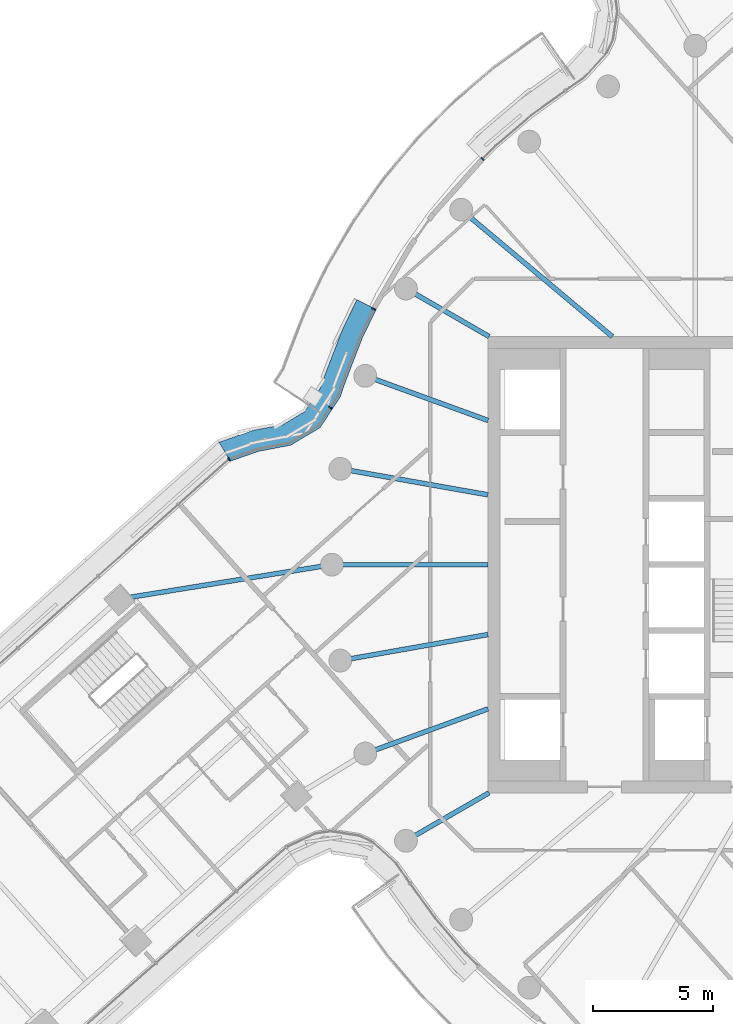
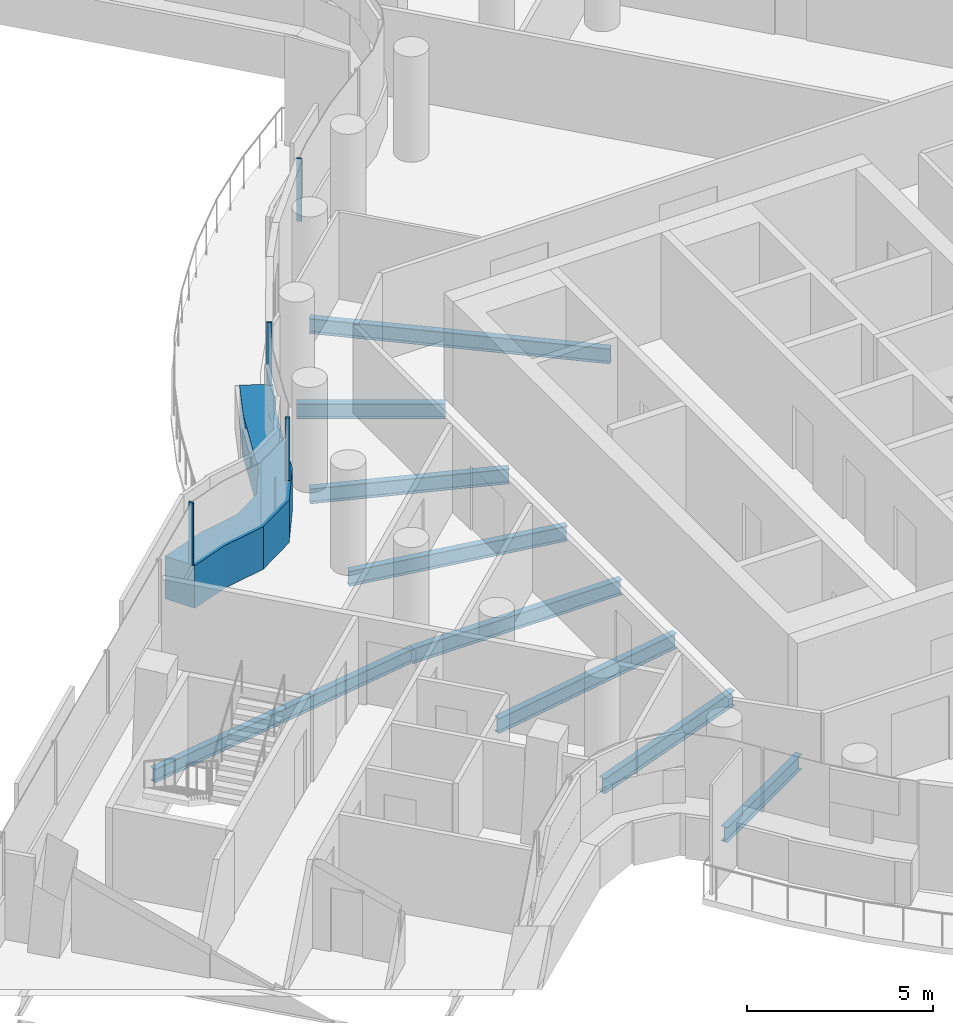
# One storey, part 9 of 33: 9 beams, 5 members, 2 elements without a shape of their own.
"""IFC4 building model written with IfcOpenShell, lengths in metres."""

from ifc_helpers import new_model, si_unit, direction, frame, origin, origin_2d, place, context, subcontext, project, spatial, polyline, rectangle, i_section, outline, extrude, material, layer, layer_set, material_profile, profile_set, type_object, element, aggregate, save


model = new_model("IFC4")

# Units and contexts
model_context = context("Model", 3, precision=1e-05, world=origin(), true_north=direction((0.0, 1.0)))
body_context = subcontext(model_context, "Body", "Model", "MODEL_VIEW")
ifc_project = project(units=[si_unit("LENGTHUNIT", "METRE"), si_unit("AREAUNIT", "SQUARE_METRE"), si_unit("VOLUMEUNIT", "CUBIC_METRE"), si_unit("PLANEANGLEUNIT", "RADIAN"), si_unit("MASSUNIT", "GRAM", prefix="KILO")], contexts=[model_context])

# Site, building, storey
site_placement = place(None, origin())
site = spatial("IfcSite", under=ifc_project, at=site_placement, CompositionType="ELEMENT")
building_placement = place(site_placement, origin())
building = spatial("IfcBuilding", under=site, at=building_placement, Name="Tamarind Cross Interchange Tower", CompositionType="ELEMENT")
storey_placement = place(building_placement, frame((0.0, 0.0, 186.10009765625)))
storey = spatial("IfcBuildingStorey", under=building, at=storey_placement, Name="L46", CompositionType="ELEMENT", Elevation=186.10009765625)

# Beams
ifc_material_1 = material(Name="Steel Q355B", Category="steel")
ifc_material_profile_1 = material_profile(ifc_material_1, i_section(OverallWidth=0.198974609375, OverallDepth=0.446044921875, WebThickness=0.008056640625, FlangeThickness=0.011962890625, FilletRadius=0.012939453125, at=origin_2d()), Name="HN 446x199x8x12")
ifc_profile_set_1 = profile_set([ifc_material_profile_1], Name="Steel Q355B")
beam_type_1 = type_object("IfcBeamType", Name="Composite beam HN 446x199x8x12 Q355B", PredefinedType="BEAM", material=ifc_profile_set_1)
beam_1_placement = place(storey_placement, frame((-31.853515625, -1.4306640625, -0.363037109375), z_axis=(0.987194142604, 0.15952343028, 0.0), x_axis=(-0.15952343028, 0.987194142604, 0.0)))
element("IfcBeam", 1, at=beam_1_placement, inside=storey, type_object=beam_type_1, Name="Beam W-linkem", PredefinedType="BEAM", context=body_context, shape_type="SweptSolid", body=[
    extrude(i_section(OverallWidth=0.198974609375, OverallDepth=0.446044921875, WebThickness=0.008056640625, FlangeThickness=0.011962890625, FilletRadius=0.012939453125, at=origin_2d()), origin(), (0.0, 0.0, 1.0), 8.96826171875),
])
ifc_material_profile_2 = material_profile(ifc_material_1, i_section(OverallWidth=0.198974609375, OverallDepth=0.49609375, WebThickness=0.009033203125, FlangeThickness=0.013916015625, FilletRadius=0.012939453125, at=origin_2d()), Name="HN 496x199x9x14")
ifc_profile_set_2 = profile_set([ifc_material_profile_2], Name="Steel Q355B")
beam_type_2 = type_object("IfcBeamType", Name="Composite beam HN 496x199x9x14 Q355B", PredefinedType="BEAM", material=ifc_profile_set_2)
beam_2_placement = place(storey_placement, frame((-17.619140625, 14.7841796875, -0.38818359375), z_axis=(0.766040580814, -0.642792212574, 0.0), x_axis=(0.642792212574, 0.766040580814, 0.0)))
element("IfcBeam", 2, at=beam_2_placement, inside=storey, type_object=beam_type_2, Name="Beam HH14", PredefinedType="BEAM", context=body_context, shape_type="SweptSolid", body=[
    extrude(i_section(OverallWidth=0.198974609375, OverallDepth=0.49609375, WebThickness=0.009033203125, FlangeThickness=0.013916015625, FilletRadius=0.012939453125, at=origin_2d()), origin(), (0.0, 0.0, 1.0), 8.220703125),
])
beam_3_placement = place(storey_placement, frame((-19.918701171875, 11.5, -0.38818359375), z_axis=(0.866026010844, -0.49999894854, 0.0), x_axis=(0.49999894854, 0.866026010844, 0.0)))
element("IfcBeam", 3, at=beam_3_placement, inside=storey, type_object=beam_type_2, Name="Beam HH15", PredefinedType="BEAM", context=body_context, shape_type="SweptSolid", body=[
    extrude(i_section(OverallWidth=0.198974609375, OverallDepth=0.49609375, WebThickness=0.009033203125, FlangeThickness=0.013916015625, FilletRadius=0.012939453125, at=origin_2d()), origin(), (0.0, 0.0, 1.0), 4.0),
])
beam_4_placement = place(storey_placement, frame((-21.613037109375, 7.866455078125, -0.38818359375), z_axis=(0.939701685589, -0.341995236956, 0.0), x_axis=(0.341995236956, 0.939701685589, 0.0)))
element("IfcBeam", 4, at=beam_4_placement, inside=storey, type_object=beam_type_2, Name="Beam HH16", PredefinedType="BEAM", context=body_context, shape_type="SweptSolid", body=[
    extrude(i_section(OverallWidth=0.198974609375, OverallDepth=0.49609375, WebThickness=0.009033203125, FlangeThickness=0.013916015625, FilletRadius=0.012939453125, at=origin_2d()), origin(), (0.0, 0.0, 1.0), 5.441162109375),
])
beam_5_placement = place(storey_placement, frame((-22.650634765625, 3.993896484375, -0.38818359375), z_axis=(0.984809127561, -0.173640382036, 0.0), x_axis=(0.173640382036, 0.984809127561, 0.0)))
element("IfcBeam", 5, at=beam_5_placement, inside=storey, type_object=beam_type_2, Name="Beam HH17", PredefinedType="BEAM", context=body_context, shape_type="SweptSolid", body=[
    extrude(i_section(OverallWidth=0.198974609375, OverallDepth=0.49609375, WebThickness=0.009033203125, FlangeThickness=0.013916015625, FilletRadius=0.012939453125, at=origin_2d()), origin(), (0.0, 0.0, 1.0), 6.24560546875),
])
beam_6_placement = place(storey_placement, frame((-23.0, 0.0, -0.38818359375), z_axis=(1.0, 0.0, 0.0), x_axis=(0.0, 1.0, 0.0)))
element("IfcBeam", 6, at=beam_6_placement, inside=storey, type_object=beam_type_2, Name="Beam HH18", PredefinedType="BEAM", context=body_context, shape_type="SweptSolid", body=[
    extrude(i_section(OverallWidth=0.198974609375, OverallDepth=0.49609375, WebThickness=0.009033203125, FlangeThickness=0.013916015625, FilletRadius=0.012939453125, at=origin_2d()), origin(), (0.0, 0.0, 1.0), 6.5),
])
beam_7_placement = place(storey_placement, frame((-22.650634765625, -3.993896484375, -0.38818359375), z_axis=(0.984809127561, 0.173640382036, 0.0), x_axis=(-0.173640382036, 0.984809127561, 0.0)))
element("IfcBeam", 7, at=beam_7_placement, inside=storey, type_object=beam_type_2, Name="Beam HH19", PredefinedType="BEAM", context=body_context, shape_type="SweptSolid", body=[
    extrude(i_section(OverallWidth=0.198974609375, OverallDepth=0.49609375, WebThickness=0.009033203125, FlangeThickness=0.013916015625, FilletRadius=0.012939453125, at=origin_2d()), origin(), (0.0, 0.0, 1.0), 6.24560546875),
])
beam_8_placement = place(storey_placement, frame((-21.613037109375, -7.866455078125, -0.38818359375), z_axis=(0.939701685589, 0.341995236956, 0.0), x_axis=(-0.341995236956, 0.939701685589, 0.0)))
element("IfcBeam", 8, at=beam_8_placement, inside=storey, type_object=beam_type_2, Name="Beam HH20", PredefinedType="BEAM", context=body_context, shape_type="SweptSolid", body=[
    extrude(i_section(OverallWidth=0.198974609375, OverallDepth=0.49609375, WebThickness=0.009033203125, FlangeThickness=0.013916015625, FilletRadius=0.012939453125, at=origin_2d()), origin(), (0.0, 0.0, 1.0), 5.441162109375),
])
beam_9_placement = place(storey_placement, frame((-19.918701171875, -11.5, -0.38818359375), z_axis=(0.866026010844, 0.49999894854, 0.0), x_axis=(-0.49999894854, 0.866026010844, 0.0)))
element("IfcBeam", 9, at=beam_9_placement, inside=storey, type_object=beam_type_2, Name="Beam HH21", PredefinedType="BEAM", context=body_context, shape_type="SweptSolid", body=[
    extrude(i_section(OverallWidth=0.198974609375, OverallDepth=0.49609375, WebThickness=0.009033203125, FlangeThickness=0.013916015625, FilletRadius=0.012939453125, at=origin_2d()), origin(), (0.0, 0.0, 1.0), 4.0),
])

# Curtain wall, members
ifc_material_2 = material(Name="Aluminium 6063-T6", Category="aluminium")
ifc_layer = layer(ifc_material_2, 0.139892578125)
ifc_layer_set = layer_set([ifc_layer], Name="Aluminium 6063-T6")
curtain_wall_type = type_object("IfcCurtainWallType", Name="Hotel curtain wall, 4.5 m bays", PredefinedType="NOTDEFINED", material=ifc_layer_set)
curtain_wall_1_placement = place(storey_placement, origin())
curtain_wall_1 = element("IfcCurtainWall", 10, at=curtain_wall_1_placement, inside=storey, type_object=curtain_wall_type, Name="CWS-L46-10", PredefinedType="NOTDEFINED")
ifc_material_3 = material(Name="Aluminium and insulated spandrel panel", Category="aluminium")
member_type_1 = type_object("IfcMemberType", Name="Floor-edge blade transom", PredefinedType="USERDEFINED", material=ifc_material_3)
member_1_placement = place(storey_placement, origin())
member_1 = element("IfcMember", 11, at=member_1_placement, type_object=member_type_1, Name="CWT-L46-10-1", ObjectType="TRANSOM", PredefinedType="USERDEFINED", context=body_context, shape_type="SweptSolid", body=[
    extrude(outline(polyline([(-21.15625, 10.633544921875), (-21.74072265625, 9.425048828125), (-22.447021484375, 7.59130859375), (-22.655029296875, 6.983642578125), (-23.4921875, 5.706787109375), (-24.7197265625, 4.972900390625), (-26.056396484375, 4.7197265625), (-27.235107421875, 4.30712890625), (-27.701416015625, 5.097412109375), (-26.290283203125, 5.59130859375), (-25.04443359375, 5.827392578125), (-24.13134765625, 6.373291015625), (-23.469970703125, 7.38232421875), (-23.29296875, 7.89892578125), (-22.567138671875, 9.783203125), (-21.96044921875, 11.037841796875), (-21.15625, 10.633544921875)])), origin(), (0.0, 0.0, 1.0), 1.39990234375),
])
ifc_material_profile_3 = material_profile(ifc_material_2, rectangle(XDim=0.06005859375, YDim=0.139892578125, at=origin_2d()), Name="Mullion CW2")
ifc_profile_set_3 = profile_set([ifc_material_profile_3], Name="Aluminium 6063-T6")
member_type_2 = type_object("IfcMemberType", Name="Mullion CW2", PredefinedType="MULLION", material=ifc_profile_set_3)
member_2_placement = place(storey_placement, frame((-16.72216796875, 16.90234375, 1.39990234375), z_axis=(0.0, 0.0, 1.0), x_axis=(-0.704057148523, -0.710143317658, 0.0)))
member_2 = element("IfcMember", 12, at=member_2_placement, type_object=member_type_2, Name="CWM-L46-10-02", PredefinedType="MULLION", context=body_context, shape_type="SweptSolid", body=[
    extrude(rectangle(XDim=0.06005859375, YDim=0.139892578125, at=origin_2d()), origin(), (0.0, 0.0, 1.0), 2.06005859375),
])
member_3_placement = place(storey_placement, frame((-21.258544921875, 10.651611328125, 1.39990234375), z_axis=(0.0, 0.0, 1.0), x_axis=(-0.435326231914, -0.900272776334, 0.0)))
member_3 = element("IfcMember", 13, at=member_3_placement, type_object=member_type_2, Name="CWM-L46-10-03", PredefinedType="MULLION", context=body_context, shape_type="SweptSolid", body=[
    extrude(rectangle(XDim=0.06005859375, YDim=0.139892578125, at=origin_2d()), origin(), (0.0, 0.0, 1.0), 2.06005859375),
])
member_4_placement = place(storey_placement, frame((-23.06591796875, 6.539306640625, 1.39990234375), z_axis=(0.0, 0.0, 1.0), x_axis=(-0.548257812532, -0.83630937517, 0.0)))
member_4 = element("IfcMember", 14, at=member_4_placement, type_object=member_type_2, Name="CWM-L46-10-04", PredefinedType="MULLION", context=body_context, shape_type="SweptSolid", body=[
    extrude(rectangle(XDim=0.06005859375, YDim=0.139892578125, at=origin_2d()), origin(), (0.0, 0.0, 1.0), 2.06005859375),
])
aggregate(curtain_wall_1, [member_2, member_3, member_4, member_1])

# Curtain wall, member
curtain_wall_2_placement = place(storey_placement, origin())
curtain_wall_2 = element("IfcCurtainWall", 15, at=curtain_wall_2_placement, inside=storey, type_object=curtain_wall_type, Name="CWS-L46-11", PredefinedType="NOTDEFINED")
member_5_placement = place(storey_placement, frame((-27.286865234375, 4.39501953125, 1.39990234375), z_axis=(0.0, 0.0, 1.0), x_axis=(-0.861256883927, -0.508169833705, 0.0)))
member_5 = element("IfcMember", 16, at=member_5_placement, type_object=member_type_2, Name="CWM-L46-11-00", PredefinedType="MULLION", context=body_context, shape_type="SweptSolid", body=[
    extrude(rectangle(XDim=0.06005859375, YDim=0.139892578125, at=origin_2d()), origin(), (0.0, 0.0, 1.0), 2.06005859375),
])
aggregate(curtain_wall_2, [member_5])

save(model, "model.ifc")
